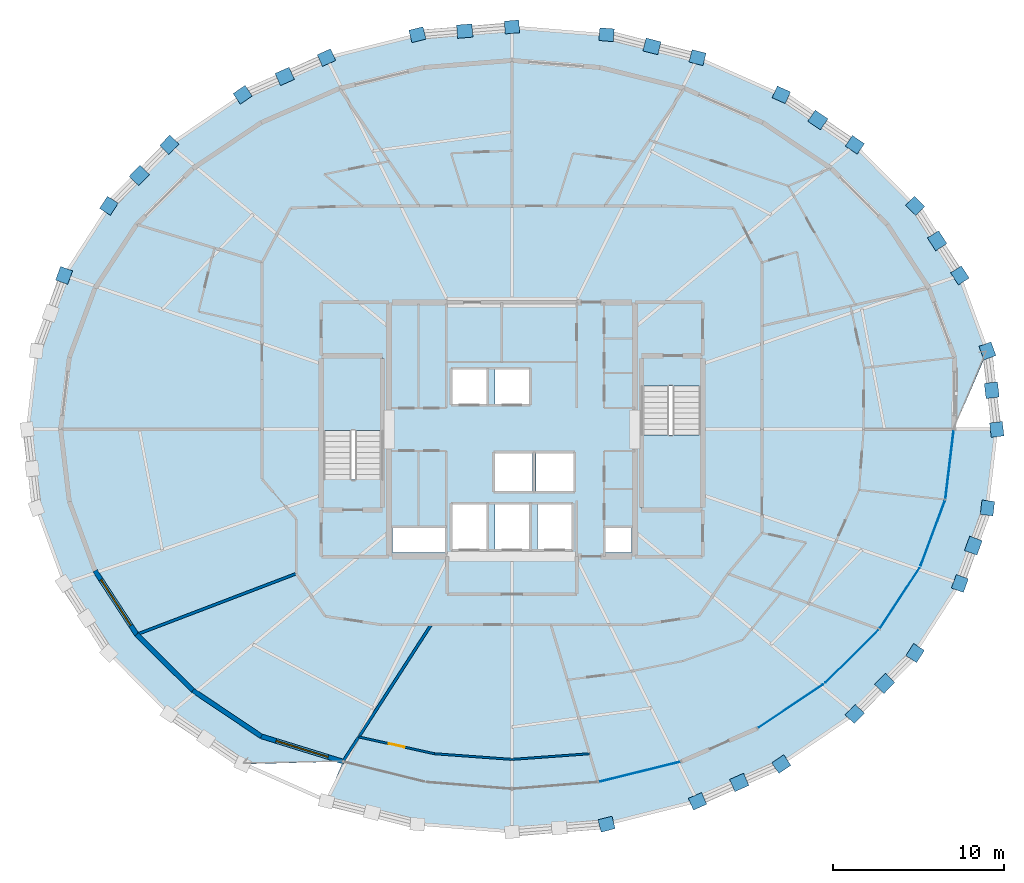
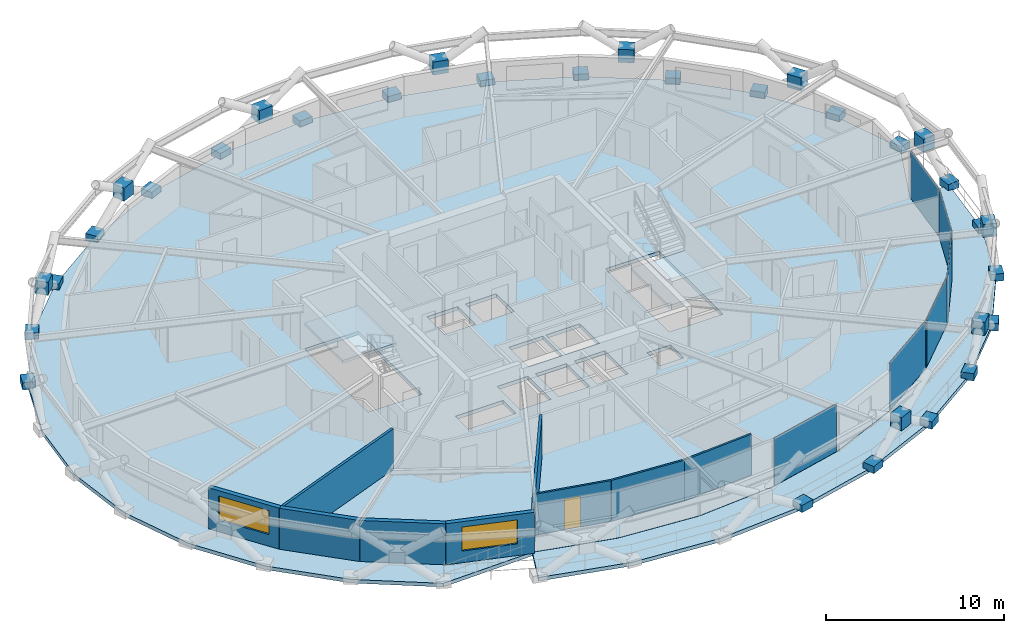
# One storey, part 13 of 21: 38 plates, 9 walls, 4 slabs, 2 windows, 1 door, 3 openings, 4 elements without a shape of their own.
"""IFC4 building model written with IfcOpenShell, lengths in metres."""

import ifcopenshell
import ifcopenshell.guid

model = None  # the IFC model being written
_history = None  # IfcOwnerHistory: only IFC2X3 demands one
_inside = {}  # id of a spatial element -> (the spatial element, [elements in it])
_under = {}  # id of a project, library or spatial element -> (it, [spatial elements below it])
_declared = {}  # id of a project -> (the project, [libraries it declares])
_typed = {}  # id of a type object -> (the type object, [elements of that type])
_made_of = {}  # id of a material, layer set ... -> (it, [elements and type objects made of it])


def new_model(schema):
    """Start an empty IFC model of exactly this schema.

    Asked for "IFC4X3", IfcOpenShell would pick the latest addendum, in which some entities
    have other attributes; the version numbers below select the first issue.
    IFC2X3 requires an IfcOwnerHistory on every rooted entity: one is made here for all.
    """
    global model, _history
    if schema == "IFC4X3":
        model = ifcopenshell.file(schema_version=(4, 3, 0, 0))
    else:
        model = ifcopenshell.file(schema=schema)
    _inside.clear()
    _under.clear()
    _declared.clear()
    _typed.clear()
    _made_of.clear()
    _history = None
    if model.schema == "IFC2X3":
        org = make("IfcOrganization", Name="unknown")
        user = make(
            "IfcPersonAndOrganization",
            ThePerson=make("IfcPerson", FamilyName="unknown"),
            TheOrganization=org,
        )
        app = make(
            "IfcApplication",
            ApplicationDeveloper=org,
            Version="unknown",
            ApplicationFullName="unknown",
            ApplicationIdentifier="unknown",
        )
        _history = make(
            "IfcOwnerHistory",
            OwningUser=user,
            OwningApplication=app,
            ChangeAction="ADDED",
            CreationDate=0,
        )
    return model


def make(cls, **values):
    """One entity of the class cls with the attributes given. An attribute that is None is left unset."""
    return model.create_entity(
        cls, **{name: value for name, value in values.items() if value is not None}
    )


def rooted(cls, **values):
    """An entity with a GlobalId (a new one), such as an element, a storey or a relation."""
    return make(cls, GlobalId=ifcopenshell.guid.new(), OwnerHistory=_history, **values)


def si_unit(unit_type, name, prefix=None):
    """IfcSIUnit, for example si_unit("LENGTHUNIT", "METRE", prefix="MILLI")."""
    return make("IfcSIUnit", UnitType=unit_type, Prefix=prefix, Name=name)


def assignment(units):
    """IfcUnitAssignment: the units of a project."""
    return None if units is None else make("IfcUnitAssignment", Units=units)


def point(xyz):
    """IfcCartesianPoint."""
    return None if xyz is None else make("IfcCartesianPoint", Coordinates=xyz)


def direction(xyz):
    """IfcDirection."""
    return None if xyz is None else make("IfcDirection", DirectionRatios=xyz)


def frame(location, z_axis=None, x_axis=None):
    """IfcAxis2Placement3D, a coordinate frame: its origin and axes. An axis left out is left unset."""
    return make(
        "IfcAxis2Placement3D",
        Location=point(location),
        Axis=direction(z_axis),
        RefDirection=direction(x_axis),
    )


def frame_2d(location, x_axis=None):
    """IfcAxis2Placement2D, a coordinate frame in the plane: its origin and x axis."""
    return make(
        "IfcAxis2Placement2D", Location=point(location), RefDirection=direction(x_axis)
    )


def origin():
    """The frame at (0, 0, 0) with its axes left unset."""
    return frame((0.0, 0.0, 0.0))


def origin_2d():
    """The frame at (0, 0) in the plane with its x axis left unset."""
    return frame_2d((0.0, 0.0))


def place(relative_to, where):
    """IfcLocalPlacement: puts the frame where relative to a parent placement (None: the world)."""
    return make(
        "IfcLocalPlacement", PlacementRelTo=relative_to, RelativePlacement=where
    )


def context(
    kind, dimensions, precision=None, world=None, true_north=None, identifier=None
):
    """IfcGeometricRepresentationContext, for example the 3D "Model" context."""
    return make(
        "IfcGeometricRepresentationContext",
        ContextIdentifier=identifier,
        ContextType=kind,
        CoordinateSpaceDimension=dimensions,
        Precision=precision,
        WorldCoordinateSystem=world,
        TrueNorth=true_north,
    )


def subcontext(parent, identifier, kind, view, scale=None):
    """IfcGeometricRepresentationSubContext, for example "Body" below "Model"."""
    return make(
        "IfcGeometricRepresentationSubContext",
        ContextIdentifier=identifier,
        ContextType=kind,
        ParentContext=parent,
        TargetScale=scale,
        TargetView=view,
    )


def project(units=None, contexts=None):
    """IfcProject with its units and contexts."""
    return rooted(
        "IfcProject",
        Name="project",
        RepresentationContexts=contexts,
        UnitsInContext=assignment(units),
    )


def spatial(cls, under=None, at=None, **own):
    """A site, building, storey or space (cls), placed at a placement, below another one or the project."""
    s = rooted(cls, ObjectPlacement=at, **own)
    if under is not None:
        _under.setdefault(under.id(), (under, []))[1].append(s)
    return s


def polyline(points):
    """IfcPolyline through the points."""
    return make("IfcPolyline", Points=[point(p) for p in points])


def profile(cls, at=None, kind="AREA", **sizes):
    """A parametric profile (cls). Its sizes go by their IFC names, for example OverallWidth=200.0."""
    return make(cls, ProfileType=kind, Position=at, **sizes)


def rectangle(**sizes):
    """IfcRectangleProfileDef."""
    return profile("IfcRectangleProfileDef", **sizes)


def outline(outer, holes=None, kind="AREA"):
    """IfcArbitraryClosedProfileDef: a profile drawn as a closed curve; with holes, ...WithVoids."""
    if holes is None:
        return make("IfcArbitraryClosedProfileDef", ProfileType=kind, OuterCurve=outer)
    return make(
        "IfcArbitraryProfileDefWithVoids",
        ProfileType=kind,
        OuterCurve=outer,
        InnerCurves=holes,
    )


def extrude(swept, where, along, depth):
    """IfcExtrudedAreaSolid: the profile swept, set in the frame where, extruded along a direction by depth."""
    return make(
        "IfcExtrudedAreaSolid",
        SweptArea=swept,
        Position=where,
        ExtrudedDirection=direction(along),
        Depth=depth,
    )


def shape(context_of_items, identifier, shape_type, items):
    """IfcShapeRepresentation: the items that make up one representation, for example the "Body"."""
    return make(
        "IfcShapeRepresentation",
        ContextOfItems=context_of_items,
        RepresentationIdentifier=identifier,
        RepresentationType=shape_type,
        Items=items,
    )


def material(Name=None, Category=None):
    """IfcMaterial."""
    return make("IfcMaterial", Name=Name, Category=Category)


def layer(
    of_material, thickness, ventilated=None, Name=None, Category=None, Priority=None
):
    """IfcMaterialLayer: one layer of a wall or slab, of a material (None: an air gap)."""
    return make(
        "IfcMaterialLayer",
        Material=of_material,
        LayerThickness=thickness,
        IsVentilated=ventilated,
        Name=Name,
        Category=Category,
        Priority=Priority,
    )


def layer_set(layers, Name=None):
    """IfcMaterialLayerSet."""
    return make("IfcMaterialLayerSet", MaterialLayers=layers, LayerSetName=Name)


def made_of(thing, what):
    """Note that an element or type object is made of a material, layer set ...; save() writes the relation."""
    if what is not None:
        _made_of.setdefault(what.id(), (what, []))[1].append(thing)
    return thing


def type_object(cls, material=None, **own):
    """A type object (cls), such as IfcWallType, which elements share."""
    return made_of(rooted(cls, **own), material)


def element(
    cls,
    number,
    at=None,
    inside=None,
    cuts=None,
    type_object=None,
    material=None,
    context=None,
    identifier="Body",
    shape_type=None,
    held_by="IfcProductDefinitionShape",
    body=None,
    shapes=None,
    **own,
):
    """One element of the class cls, such as IfcWall. Its Tag is "e" and its number.

    at: its placement. inside: the storey or other place that contains it. cuts: it is an
    opening in that element (IfcRelVoidsElement). A single representation is given by context,
    identifier, shape_type and body (its items); several are given by shapes. held_by: the class
    of the entity that holds the representations. save() writes the other relations.
    """
    e = rooted(cls, Tag="e%d" % number, ObjectPlacement=at, **own)
    if body is not None:
        shapes = [shape(context, identifier, shape_type, body)]
    if shapes is not None:
        e.Representation = make(held_by, Representations=shapes)
    if inside is not None:
        _inside.setdefault(inside.id(), (inside, []))[1].append(e)
    if cuts is not None:
        rooted(
            "IfcRelVoidsElement", RelatingBuildingElement=cuts, RelatedOpeningElement=e
        )
    if type_object is not None:
        _typed.setdefault(type_object.id(), (type_object, []))[1].append(e)
    return made_of(e, material)


def fill(opening, filler):
    """IfcRelFillsElement: the door or window that sits in an opening."""
    return rooted(
        "IfcRelFillsElement",
        RelatingOpeningElement=opening,
        RelatedBuildingElement=filler,
    )


def aggregate(whole, parts):
    """IfcRelAggregates: a whole, such as a stair, and the parts it consists of."""
    return rooted("IfcRelAggregates", RelatingObject=whole, RelatedObjects=parts)


def save(model, path):
    """Write the relations noted so far, then the file.

    IfcRelAggregates (storeys below a building ...), IfcRelContainedInSpatialStructure (elements
    in a storey), IfcRelDefinesByType, IfcRelAssociatesMaterial and IfcRelDeclares: one each for
    every whole, place, type object, material and project.
    """
    for whole, parts in _under.values():
        aggregate(whole, parts)
    for where, things in _inside.values():
        rooted(
            "IfcRelContainedInSpatialStructure",
            RelatedElements=things,
            RelatingStructure=where,
        )
    for kind, things in _typed.values():
        rooted("IfcRelDefinesByType", RelatedObjects=things, RelatingType=kind)
    for what, things in _made_of.values():
        rooted("IfcRelAssociatesMaterial", RelatedObjects=things, RelatingMaterial=what)
    for by, libraries in _declared.values():
        rooted("IfcRelDeclares", RelatingContext=by, RelatedDefinitions=libraries)
    model.write(path)


model = new_model("IFC4")

# Units and contexts
model_context = context("Model", 3, precision=1e-05, world=origin(), true_north=direction((0.0, 1.0)))
body_context = subcontext(model_context, "Body", "Model", "MODEL_VIEW")
ifc_project = project(units=[si_unit("LENGTHUNIT", "METRE"), si_unit("AREAUNIT", "SQUARE_METRE"), si_unit("VOLUMEUNIT", "CUBIC_METRE"), si_unit("PLANEANGLEUNIT", "RADIAN"), si_unit("MASSUNIT", "GRAM", prefix="KILO")], contexts=[model_context])

# Site, building, storey
site_placement = place(None, origin())
site = spatial("IfcSite", under=ifc_project, at=site_placement, CompositionType="ELEMENT")
building_placement = place(site_placement, origin())
building = spatial("IfcBuilding", under=site, at=building_placement, Name="Veldorina Hangang Commons", CompositionType="ELEMENT")
storey_placement = place(building_placement, frame((0.0, 0.0, 142.39990234375)))
storey = spatial("IfcBuildingStorey", under=building, at=storey_placement, Name="L36", CompositionType="ELEMENT", Elevation=142.39990234375)

# Curtain wall, plate
ifc_material_1 = material(Name="Glass Low-E Triple IGU", Category="glass")
ifc_layer_1 = layer(ifc_material_1, 0.179931640625)
ifc_layer_set_1 = layer_set([ifc_layer_1], Name="Glass Low-E Triple IGU")
curtain_wall_type = type_object("IfcCurtainWallType", Name="CW-SYS-Z2", PredefinedType="NOTDEFINED", material=ifc_layer_set_1)
curtain_wall_1_placement = place(storey_placement, origin())
curtain_wall_1 = element("IfcCurtainWall", 1, at=curtain_wall_1_placement, inside=storey, type_object=curtain_wall_type, Name="L36 unitised curtain wall CW-L36-R1", PredefinedType="NOTDEFINED")
ifc_layer_2 = layer(ifc_material_1, 0.0400390625)
ifc_layer_set_2 = layer_set([ifc_layer_2], Name="Glass Low-E Triple IGU")
plate_type_1 = type_object("IfcPlateType", Name="CW-PNL-VIS", PredefinedType="CURTAIN_PANEL", material=ifc_layer_set_2)
plate_1_placement = place(storey_placement, frame((39.480712890625, 3.93408203125, 0.01513671875), z_axis=(0.0, 0.0, 1.0), x_axis=(0.970863047415, 0.239635020738, 0.0)))
plate_1 = element("IfcPlate", 2, at=plate_1_placement, type_object=plate_type_1, Name="CW-L36-R1 facet 4 glazed vision panel", PredefinedType="CURTAIN_PANEL", context=body_context, shape_type="SweptSolid", body=[
    extrude(rectangle(XDim=4.823486328125, YDim=0.0400390625, at=origin_2d()), origin(), (0.0, 0.0, 1.0), 3.280029296875),
])
aggregate(curtain_wall_1, [plate_1])

# Curtain wall, plates
curtain_wall_2_placement = place(storey_placement, origin())
curtain_wall_2 = element("IfcCurtainWall", 3, at=curtain_wall_2_placement, inside=storey, type_object=curtain_wall_type, Name="L36 unitised curtain wall CW-L36-R2", PredefinedType="NOTDEFINED")
plate_2_placement = place(storey_placement, frame((48.348388671875, 7.791015625, 0.01513671875), z_axis=(0.0, 0.0, 1.0), x_axis=(0.831624724357, 0.555338021243, 0.0)))
plate_2 = element("IfcPlate", 4, at=plate_2_placement, type_object=plate_type_1, Name="CW-L36-R2 facet 1 glazed vision panel", PredefinedType="CURTAIN_PANEL", context=body_context, shape_type="SweptSolid", body=[
    extrude(rectangle(XDim=4.538330078125, YDim=0.0400390625, at=origin_2d()), origin(), (0.0, 0.0, 1.0), 3.280029296875),
])
plate_3_placement = place(storey_placement, frame((51.92041015625, 10.697509765625, 0.01513671875), z_axis=(0.0, 0.0, 1.0), x_axis=(0.710123936045, 0.704076697141, 0.0)))
plate_3 = element("IfcPlate", 5, at=plate_3_placement, type_object=plate_type_1, Name="CW-L36-R2 facet 2 glazed vision panel", PredefinedType="CURTAIN_PANEL", context=body_context, shape_type="SweptSolid", body=[
    extrude(rectangle(XDim=4.35498046875, YDim=0.0400390625, at=origin_2d()), origin(), (0.0, 0.0, 1.0), 3.280029296875),
])
plate_4_placement = place(storey_placement, frame((54.72705078125, 14.115234375, 0.01513671875), z_axis=(0.0, 0.0, 1.0), x_axis=(0.549037405505, 0.835797778985, 0.0)))
plate_4 = element("IfcPlate", 6, at=plate_4_placement, type_object=plate_type_1, Name="CW-L36-R2 facet 3 glazed vision panel", PredefinedType="CURTAIN_PANEL", context=body_context, shape_type="SweptSolid", body=[
    extrude(rectangle(XDim=4.178466796875, YDim=0.0400390625, at=origin_2d()), origin(), (0.0, 0.0, 1.0), 3.280029296875),
])
plate_5_placement = place(storey_placement, frame((56.66015625, 17.9130859375, 0.01513671875), z_axis=(0.0, 0.0, 1.0), x_axis=(0.349308079291, 0.937007932593, 0.0)))
plate_5 = element("IfcPlate", 7, at=plate_5_placement, type_object=plate_type_1, Name="CW-L36-R2 facet 4 glazed vision panel", PredefinedType="CURTAIN_PANEL", context=body_context, shape_type="SweptSolid", body=[
    extrude(rectangle(XDim=4.038330078125, YDim=0.0400390625, at=origin_2d()), origin(), (0.0, 0.0, 1.0), 3.280029296875),
])
plate_6_placement = place(storey_placement, frame((57.645751953125, 21.944580078125, 0.01513671875), z_axis=(0.0, 0.0, 1.0), x_axis=(0.12017149253, 0.992753147758, 0.0)))
plate_6 = element("IfcPlate", 8, at=plate_6_placement, type_object=plate_type_1, Name="CW-L36-R2 facet 5 glazed vision panel", PredefinedType="CURTAIN_PANEL", context=body_context, shape_type="SweptSolid", body=[
    extrude(rectangle(XDim=3.960693359375, YDim=0.0400390625, at=origin_2d()), origin(), (0.0, 0.0, 1.0), 3.280029296875),
])
aggregate(curtain_wall_2, [plate_2, plate_3, plate_4, plate_5, plate_6])

# Plates
ifc_material_2 = material(Name="Steel SM460-TMC", Category="steel")
ifc_layer_3 = layer(ifc_material_2, 0.035888671875)
ifc_layer_set_3 = layer_set([ifc_layer_3], Name="Steel SM460-TMC")
plate_type_2 = type_object("IfcPlateType", Name="PL-STAR-36", PredefinedType="USERDEFINED", material=ifc_layer_set_3)
plate_7_placement = place(storey_placement, frame((60.41455078125, 24.0, -0.08984375), z_axis=(0.0, 0.0, 1.0), x_axis=(-0.1178147099, 0.993035595601, 0.0)))
element("IfcPlate", 9, at=plate_7_placement, inside=storey, type_object=plate_type_2, Name="L36 diagrid star-node gusset plate 00", ObjectType="GUSSET PLATE", PredefinedType="USERDEFINED", context=body_context, shape_type="SweptSolid", body=[
    extrude(rectangle(XDim=0.85009765625, YDim=0.75, at=origin_2d()), origin(), (0.0, 0.0, 1.0), 0.5),
])
plate_8_placement = place(storey_placement, frame((60.119873046875, 26.299560546875, 1.351318359375), z_axis=(0.0, 0.0, 1.0), x_axis=(-0.1178147099, 0.993035595601, 0.0)))
element("IfcPlate", 10, at=plate_8_placement, inside=storey, type_object=plate_type_2, Name="L36 diagrid X-crossing star-node gusset plate 00", ObjectType="GUSSET PLATE", PredefinedType="USERDEFINED", context=body_context, shape_type="SweptSolid", body=[
    extrude(rectangle(XDim=0.89990234375, YDim=0.780029296875, at=origin_2d()), origin(), (0.0, 0.0, 1.0), 0.89990234375),
])
for number, where, z_axis, x_axis, name in (
    (11, (59.86865234375, 28.602294921875, -0.08984375), (0.0, 0.0, 1.0), (-0.343184332272, 0.939268073599, 0.0), "L36 diagrid star-node gusset plate 01"),
    (12, (58.251708984375, 33.027587890625, -0.08984375), (0.0, 0.0, 1.0), (-0.541326717496, 0.84081233633, 0.0), "L36 diagrid star-node gusset plate 02"),
):
    element("IfcPlate", number, at=place(storey_placement, frame(where, z_axis=z_axis, x_axis=x_axis)), inside=storey, type_object=plate_type_2, Name=name, ObjectType="GUSSET PLATE", PredefinedType="USERDEFINED", context=body_context, shape_type="SweptSolid", body=[
        extrude(rectangle(XDim=0.85009765625, YDim=0.75, at=origin_2d()), origin(), (0.0, 0.0, 1.0), 0.5),
    ])
plate_9_placement = place(storey_placement, frame((56.91943359375, 35.0595703125, 1.3515625), z_axis=(0.0, 0.0, 1.0), x_axis=(-0.541326717496, 0.84081233633, 0.0)))
element("IfcPlate", 13, at=plate_9_placement, inside=storey, type_object=plate_type_2, Name="L36 diagrid X-crossing star-node gusset plate 02", ObjectType="GUSSET PLATE", PredefinedType="USERDEFINED", context=body_context, shape_type="SweptSolid", body=[
    extrude(rectangle(XDim=0.89990234375, YDim=0.780029296875, at=origin_2d()), origin(), (0.0, 0.0, 1.0), 0.89990234375),
])
for number, where, z_axis, x_axis, name in (
    (14, (55.6259765625, 37.106201171875, -0.08984375), (0.0, 0.0, 1.0), (-0.703010020349, 0.711179942974, 0.0), "L36 diagrid star-node gusset plate 03"),
    (15, (52.09228515625, 40.680908203125, -0.08984375), (0.0, 0.0, 1.0), (-0.826422725162, 0.563050157034, 0.0), "L36 diagrid star-node gusset plate 04"),
):
    element("IfcPlate", number, at=place(storey_placement, frame(where, z_axis=z_axis, x_axis=x_axis)), inside=storey, type_object=plate_type_2, Name=name, ObjectType="GUSSET PLATE", PredefinedType="USERDEFINED", context=body_context, shape_type="SweptSolid", body=[
        extrude(rectangle(XDim=0.85009765625, YDim=0.75, at=origin_2d()), origin(), (0.0, 0.0, 1.0), 0.5),
    ])
plate_10_placement = place(storey_placement, frame((49.92529296875, 42.135986328125, 1.3515625), z_axis=(0.0, 0.0, 1.0), x_axis=(-0.826422725162, 0.563050157034, 0.0)))
element("IfcPlate", 16, at=plate_10_placement, inside=storey, type_object=plate_type_2, Name="L36 diagrid X-crossing star-node gusset plate 04", ObjectType="GUSSET PLATE", PredefinedType="USERDEFINED", context=body_context, shape_type="SweptSolid", body=[
    extrude(rectangle(XDim=0.89990234375, YDim=0.780029296875, at=origin_2d()), origin(), (0.0, 0.0, 1.0), 0.89990234375),
])
for number, where, z_axis, x_axis, name in (
    (17, (47.786376953125, 43.614501953125, -0.08984375), (0.0, 0.0, 1.0), (-0.914041698281, 0.405620233474, 0.0), "L36 diagrid star-node gusset plate 05"),
    (18, (42.873779296875, 45.794677734375, -0.08984375), (0.0, 0.0, 1.0), (-0.969723018395, 0.244207427396, 0.0), "L36 diagrid star-node gusset plate 06"),
):
    element("IfcPlate", number, at=place(storey_placement, frame(where, z_axis=z_axis, x_axis=x_axis)), inside=storey, type_object=plate_type_2, Name=name, ObjectType="GUSSET PLATE", PredefinedType="USERDEFINED", context=body_context, shape_type="SweptSolid", body=[
        extrude(rectangle(XDim=0.85009765625, YDim=0.75, at=origin_2d()), origin(), (0.0, 0.0, 1.0), 0.5),
    ])
plate_11_placement = place(storey_placement, frame((40.2021484375, 46.451171875, 1.3515625), z_axis=(0.0, 0.0, 1.0), x_axis=(-0.969723018395, 0.244207427396, 0.0)))
element("IfcPlate", 19, at=plate_11_placement, inside=storey, type_object=plate_type_2, Name="L36 diagrid X-crossing star-node gusset plate 06", ObjectType="GUSSET PLATE", PredefinedType="USERDEFINED", context=body_context, shape_type="SweptSolid", body=[
    extrude(rectangle(XDim=0.89990234375, YDim=0.780029296875, at=origin_2d()), origin(), (0.0, 0.0, 1.0), 0.89990234375),
])
for number, where, z_axis, x_axis, name in (
    (20, (37.54345703125, 47.136962890625, -0.08984375), (0.0, 0.0, 1.0), (-0.996673044363, 0.081503635748, 0.0), "L36 diagrid star-node gusset plate 07"),
    (21, (32.0, 47.59033203125, -0.08984375), (0.0, 0.0, 1.0), (-0.996673044363, -0.081503635748, 0.0), "L36 diagrid star-node gusset plate 08"),
):
    element("IfcPlate", number, at=place(storey_placement, frame(where, z_axis=z_axis, x_axis=x_axis)), inside=storey, type_object=plate_type_2, Name=name, ObjectType="GUSSET PLATE", PredefinedType="USERDEFINED", context=body_context, shape_type="SweptSolid", body=[
        extrude(rectangle(XDim=0.85009765625, YDim=0.75, at=origin_2d()), origin(), (0.0, 0.0, 1.0), 0.5),
    ])
plate_12_placement = place(storey_placement, frame((29.23046875, 47.348388671875, 1.3515625), z_axis=(0.0, 0.0, 1.0), x_axis=(-0.996673044363, -0.081503635748, 0.0)))
element("IfcPlate", 22, at=plate_12_placement, inside=storey, type_object=plate_type_2, Name="L36 diagrid X-crossing star-node gusset plate 08", ObjectType="GUSSET PLATE", PredefinedType="USERDEFINED", context=body_context, shape_type="SweptSolid", body=[
    extrude(rectangle(XDim=0.89990234375, YDim=0.780029296875, at=origin_2d()), origin(), (0.0, 0.0, 1.0), 0.89990234375),
])
for number, where, z_axis, x_axis, name in (
    (23, (26.45654296875, 47.136962890625, -0.08984375), (0.0, 0.0, 1.0), (-0.969723018395, -0.244207427396, 0.0), "L36 diagrid star-node gusset plate 09"),
    (24, (21.126220703125, 45.794677734375, -0.08984375), (0.0, 0.0, 1.0), (-0.914041698281, -0.405620233474, 0.0), "L36 diagrid star-node gusset plate 10"),
):
    element("IfcPlate", number, at=place(storey_placement, frame(where, z_axis=z_axis, x_axis=x_axis)), inside=storey, type_object=plate_type_2, Name=name, ObjectType="GUSSET PLATE", PredefinedType="USERDEFINED", context=body_context, shape_type="SweptSolid", body=[
        extrude(rectangle(XDim=0.85009765625, YDim=0.75, at=origin_2d()), origin(), (0.0, 0.0, 1.0), 0.5),
    ])
plate_13_placement = place(storey_placement, frame((18.680419921875, 44.69091796875, 1.3515625), z_axis=(0.0, 0.0, 1.0), x_axis=(-0.914041698281, -0.405620233474, 0.0)))
element("IfcPlate", 25, at=plate_13_placement, inside=storey, type_object=plate_type_2, Name="L36 diagrid X-crossing star-node gusset plate 10", ObjectType="GUSSET PLATE", PredefinedType="USERDEFINED", context=body_context, shape_type="SweptSolid", body=[
    extrude(rectangle(XDim=0.89990234375, YDim=0.780029296875, at=origin_2d()), origin(), (0.0, 0.0, 1.0), 0.89990234375),
])
for number, where, z_axis, x_axis, name in (
    (26, (16.213623046875, 43.614501953125, -0.08984375), (0.0, 0.0, 1.0), (-0.826422725162, -0.563050157034, 0.0), "L36 diagrid star-node gusset plate 11"),
    (27, (11.90771484375, 40.680908203125, -0.08984375), (0.0, 0.0, 1.0), (-0.703010020349, -0.711179942974, 0.0), "L36 diagrid star-node gusset plate 12"),
):
    element("IfcPlate", number, at=place(storey_placement, frame(where, z_axis=z_axis, x_axis=x_axis)), inside=storey, type_object=plate_type_2, Name=name, ObjectType="GUSSET PLATE", PredefinedType="USERDEFINED", context=body_context, shape_type="SweptSolid", body=[
        extrude(rectangle(XDim=0.85009765625, YDim=0.75, at=origin_2d()), origin(), (0.0, 0.0, 1.0), 0.5),
    ])
plate_14_placement = place(storey_placement, frame((10.157958984375, 38.883544921875, 1.3515625), z_axis=(0.0, 0.0, 1.0), x_axis=(-0.703010020349, -0.711179942974, 0.0)))
element("IfcPlate", 28, at=plate_14_placement, inside=storey, type_object=plate_type_2, Name="L36 diagrid X-crossing star-node gusset plate 12", ObjectType="GUSSET PLATE", PredefinedType="USERDEFINED", context=body_context, shape_type="SweptSolid", body=[
    extrude(rectangle(XDim=0.89990234375, YDim=0.780029296875, at=origin_2d()), origin(), (0.0, 0.0, 1.0), 0.89990234375),
])
for number, where, z_axis, x_axis, name in (
    (29, (8.3740234375, 37.106201171875, -0.08984375), (0.0, 0.0, 1.0), (-0.541326717496, -0.84081233633, 0.0), "L36 diagrid star-node gusset plate 13"),
    (30, (5.748291015625, 33.027587890625, -0.08984375), (0.0, 0.0, 1.0), (-0.343184332272, -0.939268073599, 0.0), "L36 diagrid star-node gusset plate 14"),
    (31, (37.54345703125, 0.863037109375, -0.08984375), (0.0, 0.0, 1.0), (0.969723018395, 0.244207427396, 0.0), "L36 diagrid star-node gusset plate 25"),
    (32, (42.873779296875, 2.205322265625, -0.08984375), (0.0, 0.0, 1.0), (0.914041698281, 0.405620233474, 0.0), "L36 diagrid star-node gusset plate 26"),
):
    element("IfcPlate", number, at=place(storey_placement, frame(where, z_axis=z_axis, x_axis=x_axis)), inside=storey, type_object=plate_type_2, Name=name, ObjectType="GUSSET PLATE", PredefinedType="USERDEFINED", context=body_context, shape_type="SweptSolid", body=[
        extrude(rectangle(XDim=0.85009765625, YDim=0.75, at=origin_2d()), origin(), (0.0, 0.0, 1.0), 0.5),
    ])
plate_15_placement = place(storey_placement, frame((45.319580078125, 3.30908203125, 1.3515625), z_axis=(0.0, 0.0, 1.0), x_axis=(0.914041698281, 0.405620233474, 0.0)))
element("IfcPlate", 33, at=plate_15_placement, inside=storey, type_object=plate_type_2, Name="L36 diagrid X-crossing star-node gusset plate 26", ObjectType="GUSSET PLATE", PredefinedType="USERDEFINED", context=body_context, shape_type="SweptSolid", body=[
    extrude(rectangle(XDim=0.89990234375, YDim=0.780029296875, at=origin_2d()), origin(), (0.0, 0.0, 1.0), 0.89990234375),
])
for number, where, z_axis, x_axis, name in (
    (34, (47.786376953125, 4.385498046875, -0.08984375), (0.0, 0.0, 1.0), (0.826422725162, 0.563050157034, 0.0), "L36 diagrid star-node gusset plate 27"),
    (35, (52.09228515625, 7.319091796875, -0.08984375), (0.0, 0.0, 1.0), (0.703010020349, 0.711179942974, 0.0), "L36 diagrid star-node gusset plate 28"),
):
    element("IfcPlate", number, at=place(storey_placement, frame(where, z_axis=z_axis, x_axis=x_axis)), inside=storey, type_object=plate_type_2, Name=name, ObjectType="GUSSET PLATE", PredefinedType="USERDEFINED", context=body_context, shape_type="SweptSolid", body=[
        extrude(rectangle(XDim=0.85009765625, YDim=0.75, at=origin_2d()), origin(), (0.0, 0.0, 1.0), 0.5),
    ])
plate_16_placement = place(storey_placement, frame((53.842041015625, 9.116455078125, 1.3515625), z_axis=(0.0, 0.0, 1.0), x_axis=(0.703010020349, 0.711179942974, 0.0)))
element("IfcPlate", 36, at=plate_16_placement, inside=storey, type_object=plate_type_2, Name="L36 diagrid X-crossing star-node gusset plate 28", ObjectType="GUSSET PLATE", PredefinedType="USERDEFINED", context=body_context, shape_type="SweptSolid", body=[
    extrude(rectangle(XDim=0.89990234375, YDim=0.780029296875, at=origin_2d()), origin(), (0.0, 0.0, 1.0), 0.89990234375),
])
for number, where, z_axis, x_axis, name in (
    (37, (55.6259765625, 10.893798828125, -0.08984375), (0.0, 0.0, 1.0), (0.541326717496, 0.84081233633, 0.0), "L36 diagrid star-node gusset plate 29"),
    (38, (58.251708984375, 14.972412109375, -0.08984375), (0.0, 0.0, 1.0), (0.343184332272, 0.939268073599, 0.0), "L36 diagrid star-node gusset plate 30"),
):
    element("IfcPlate", number, at=place(storey_placement, frame(where, z_axis=z_axis, x_axis=x_axis)), inside=storey, type_object=plate_type_2, Name=name, ObjectType="GUSSET PLATE", PredefinedType="USERDEFINED", context=body_context, shape_type="SweptSolid", body=[
        extrude(rectangle(XDim=0.85009765625, YDim=0.75, at=origin_2d()), origin(), (0.0, 0.0, 1.0), 0.5),
    ])
plate_17_placement = place(storey_placement, frame((59.0390625, 17.189697265625, 1.351318359375), z_axis=(0.0, 0.0, 1.0), x_axis=(0.343184332272, 0.939268073599, 0.0)))
element("IfcPlate", 39, at=plate_17_placement, inside=storey, type_object=plate_type_2, Name="L36 diagrid X-crossing star-node gusset plate 30", ObjectType="GUSSET PLATE", PredefinedType="USERDEFINED", context=body_context, shape_type="SweptSolid", body=[
    extrude(rectangle(XDim=0.89990234375, YDim=0.780029296875, at=origin_2d()), origin(), (0.0, 0.0, 1.0), 0.89990234375),
])
plate_18_placement = place(storey_placement, frame((59.86865234375, 19.397705078125, -0.08984375), z_axis=(0.0, 0.0, 1.0), x_axis=(0.1178147099, 0.993035595601, 0.0)))
element("IfcPlate", 40, at=plate_18_placement, inside=storey, type_object=plate_type_2, Name="L36 diagrid star-node gusset plate 31", ObjectType="GUSSET PLATE", PredefinedType="USERDEFINED", context=body_context, shape_type="SweptSolid", body=[
    extrude(rectangle(XDim=0.85009765625, YDim=0.75, at=origin_2d()), origin(), (0.0, 0.0, 1.0), 0.5),
])

# Slabs
ifc_material_3 = material(Name="Concrete C40/50", Category="concrete")
ifc_layer_4 = layer(ifc_material_3, 0.25)
ifc_layer_set_4 = layer_set([ifc_layer_4], Name="Concrete C40/50")
slab_type_1 = type_object("IfcSlabType", Name="SL-FLR-250", PredefinedType="FLOOR", material=ifc_layer_set_4)
slab_1_placement = place(storey_placement, frame((0.0, 0.0, -0.25)))
element("IfcSlab", 41, at=slab_1_placement, inside=storey, type_object=slab_type_1, Name="L36 tower structural floor slab", PredefinedType="FLOOR", context=body_context, shape_type="SweptSolid", body=[
    extrude(outline(polyline([(57.89453125, 24.0), (59.86865234375, 28.602294921875), (58.251708984375, 33.027587890625), (55.6259765625, 37.106201171875), (52.09228515625, 40.680908203125), (47.786376953125, 43.614501953125), (42.873779296875, 45.794677734375), (37.54345703125, 47.136962890625), (32.0, 47.59033203125), (26.45654296875, 47.136962890625), (21.126220703125, 45.794677734375), (16.213623046875, 43.614501953125), (11.90771484375, 40.680908203125), (8.3740234375, 37.106201171875), (5.748291015625, 33.027587890625), (4.13134765625, 28.602294921875), (3.58544921875, 24.0), (4.13134765625, 19.397705078125), (5.748291015625, 14.972412109375), (8.3740234375, 10.893798828125), (11.90771484375, 7.319091796875), (16.213623046875, 4.385498046875), (22.090576171875, 4.53369140625), (26.9482421875, 3.334716796875), (32.0, 2.9296875), (37.0517578125, 3.334716796875), (41.909423828125, 4.53369140625), (46.38623046875, 6.480712890625), (50.310302734375, 9.10107421875), (53.530517578125, 12.2939453125), (55.923583984375, 15.936767578125), (57.39697265625, 19.889404296875), (57.89453125, 24.0)]), holes=[polyline([(20.949951171875, 21.05810546875), (20.949951171875, 28.199951171875), (24.449951171875, 28.199951171875), (24.449951171875, 21.05810546875), (20.949951171875, 21.05810546875)]), polyline([(43.050048828125, 26.5419921875), (43.050048828125, 19.39990234375), (39.550048828125, 19.39990234375), (39.550048828125, 26.5419921875), (43.050048828125, 26.5419921875)]), polyline([(28.5, 27.5), (30.5, 27.5), (30.5, 25.5), (28.5, 25.5), (28.5, 27.5)]), polyline([(31.0, 27.5), (33.0, 27.5), (33.0, 25.5), (31.0, 25.5), (31.0, 27.5)]), polyline([(31.0, 22.60009765625), (33.199951171875, 22.60009765625), (33.199951171875, 20.39990234375), (31.0, 20.39990234375), (31.0, 22.60009765625)]), polyline([(33.39990234375, 22.60009765625), (35.60009765625, 22.60009765625), (35.60009765625, 20.39990234375), (33.39990234375, 20.39990234375), (33.39990234375, 22.60009765625)]), polyline([(28.5, 19.60009765625), (30.5, 19.60009765625), (30.5, 17.0), (28.5, 17.0), (28.5, 19.60009765625)]), polyline([(31.0, 19.60009765625), (33.0, 19.60009765625), (33.0, 17.0), (31.0, 17.0), (31.0, 19.60009765625)]), polyline([(33.5, 19.60009765625), (35.5, 19.60009765625), (35.5, 17.0), (33.5, 17.0), (33.5, 19.60009765625)]), polyline([(25.0, 18.25), (28.10009765625, 18.25), (28.10009765625, 16.800048828125), (25.0, 16.800048828125), (25.0, 18.25)]), polyline([(37.449951171875, 18.25), (39.0, 18.25), (39.0, 16.800048828125), (37.449951171875, 16.800048828125), (37.449951171875, 18.25)])]), origin(), (0.0, 0.0, 1.0), 0.25),
])
slab_2_placement = place(storey_placement, frame((0.0, 0.0, -0.25)))
element("IfcSlab", 42, at=slab_2_placement, inside=storey, type_object=slab_type_1, Name="L36 sky-garden loggia outdoor slab", PredefinedType="FLOOR", context=body_context, shape_type="SweptSolid", body=[
    extrude(outline(polyline([(60.41455078125, 24.0), (59.86865234375, 19.397705078125), (58.251708984375, 14.972412109375), (55.6259765625, 10.893798828125), (52.09228515625, 7.319091796875), (47.786376953125, 4.385498046875), (42.873779296875, 2.205322265625), (37.54345703125, 0.863037109375), (32.0, 0.40966796875), (26.45654296875, 0.863037109375), (21.126220703125, 2.205322265625), (22.084228515625, 4.518310546875), (22.089111328125, 4.5185546875), (26.944580078125, 3.320068359375), (26.94580078125, 3.31982421875), (26.947021484375, 3.319580078125), (31.998779296875, 2.914794921875), (32.0, 2.914794921875), (32.001220703125, 2.914794921875), (37.052978515625, 3.319580078125), (37.05419921875, 3.31982421875), (37.055419921875, 3.320068359375), (41.9130859375, 4.51904296875), (41.914306640625, 4.519287109375), (41.915283203125, 4.519775390625), (46.392333984375, 6.466796875), (46.3935546875, 6.467529296875), (46.39453125, 6.46826171875), (50.318603515625, 9.08837890625), (50.319580078125, 9.08935546875), (50.32080078125, 9.09033203125), (53.541259765625, 12.283203125), (53.542236328125, 12.284423828125), (53.543212890625, 12.285888671875), (55.93603515625, 15.928466796875), (55.93701171875, 15.929931640625), (55.9375, 15.931396484375), (57.4111328125, 19.88427734375), (57.41162109375, 19.885986328125), (57.411865234375, 19.8876953125), (57.9091796875, 23.99609375), (57.910888671875, 24.0), (60.41455078125, 24.0)])), origin(), (0.0, 0.0, 1.0), 0.25),
])

# Stair, slab
stair_type = type_object("IfcStairType", Name="STR-DOG-1650-20R", PredefinedType="HALF_TURN_STAIR", material=ifc_material_3)
stair_1_placement = place(storey_placement, origin())
stair_1 = element("IfcStair", 43, at=stair_1_placement, inside=storey, type_object=stair_type, Name="L36 Exit stair ST-1", PredefinedType="HALF_TURN_STAIR")
ifc_layer_5 = layer(ifc_material_3, 0.199951171875)
ifc_layer_set_5 = layer_set([ifc_layer_5], Name="Concrete C40/50")
slab_type_2 = type_object("IfcSlabType", Name="SL-LND-200", PredefinedType="LANDING", material=ifc_layer_set_5)
slab_3_placement = place(storey_placement, frame((0.0, 0.0, 1.60009765625)))
slab_3 = element("IfcSlab", 44, at=slab_3_placement, type_object=slab_type_2, Name="ST-1 landing 1", PredefinedType="LANDING", context=body_context, shape_type="SweptSolid", body=[
    extrude(outline(polyline([(24.449951171875, 23.929931640625), (24.449951171875, 28.199951171875), (20.949951171875, 28.199951171875), (20.949951171875, 23.929931640625), (24.449951171875, 23.929931640625)])), origin(), (0.0, 0.0, 1.0), 0.199951171875),
])
aggregate(stair_1, [slab_3])

stair_2_placement = place(storey_placement, origin())
stair_2 = element("IfcStair", 45, at=stair_2_placement, inside=storey, type_object=stair_type, Name="L36 Exit stair ST-2", PredefinedType="HALF_TURN_STAIR")
slab_4_placement = place(storey_placement, frame((0.0, 0.0, 1.60009765625)))
slab_4 = element("IfcSlab", 46, at=slab_4_placement, type_object=slab_type_2, Name="ST-2 landing 1", PredefinedType="LANDING", context=body_context, shape_type="SweptSolid", body=[
    extrude(outline(polyline([(39.550048828125, 23.669921875), (39.550048828125, 19.39990234375), (43.050048828125, 19.39990234375), (43.050048828125, 23.669921875), (39.550048828125, 23.669921875)])), origin(), (0.0, 0.0, 1.0), 0.199951171875),
])
aggregate(stair_2, [slab_4])

# Wall, opening, window
ifc_material_4 = material(Name="Stone Roman Travertine", Category="masonry")
ifc_layer_6 = layer(ifc_material_4, 0.280029296875)
ifc_layer_set_6 = layer_set([ifc_layer_6], Name="Stone Roman Travertine")
wall_type_1 = type_object("IfcWallType", Name="EW-TRAV-280", PredefinedType="STANDARD", material=ifc_layer_set_6)
wall_1_placement = place(storey_placement, frame((7.55908203125, 15.722412109375, 0.0), z_axis=(0.0, 0.0, 1.0), x_axis=(0.547212555107, -0.836993679506, 0.0)))
wall_1 = element("IfcWall", 47, at=wall_1_placement, inside=storey, type_object=wall_type_1, Name="L36 travertine facade wall 18", PredefinedType="STANDARD", context=body_context, shape_type="SweptSolid", body=[
    extrude(rectangle(XDim=4.4677734375, YDim=0.280029296875, at=frame_2d((2.23388671875, 0.0))), origin(), (0.0, 0.0, 1.0), 2.820068359375),
])
opening_1_placement = place(wall_1_placement, frame((0.6337890625, 0.0, 0.800048828125)))
opening_1 = element("IfcOpeningElement", 48, at=opening_1_placement, cuts=wall_1, Name="Opening W-01", PredefinedType="OPENING", context=body_context, shape_type="SweptSolid", body=[
    extrude(rectangle(XDim=3.199951171875, YDim=1.64990234375, at=frame_2d((1.60009765625, 0.824951171875))), frame((0.0, 0.14990234375, 0.0), z_axis=(0.0, -1.0, 0.0), x_axis=(1.0, 0.0, 0.0)), (0.0, 0.0, 1.0), 0.300048828125),
])
window_type = type_object("IfcWindowType", Name="WIN-TWR-3200", PartitioningType="SINGLE_PANEL", PredefinedType="WINDOW", material=ifc_material_1)
window_1_placement = place(opening_1_placement, origin())
window_1 = element("IfcWindow", 49, at=window_1_placement, inside=storey, type_object=window_type, Name="L36 facade window 18", OverallHeight=1.64990234375, OverallWidth=3.199951171875, PartitioningType="SINGLE_PANEL", PredefinedType="WINDOW", context=body_context, shape_type="SweptSolid", body=[
    extrude(rectangle(XDim=3.199951171875, YDim=1.64990234375, at=frame_2d((1.60009765625, 0.824951171875))), frame((0.0, 0.030029296875, 0.0), z_axis=(0.0, -1.0, 0.0), x_axis=(1.0, 0.0, 0.0)), (0.0, 0.0, 1.0), 0.06005859375),
])
fill(opening_1, window_1)

# Walls
wall_2_placement = place(storey_placement, frame((10.00390625, 11.98291015625, 0.0), z_axis=(0.0, 0.0, 1.0), x_axis=(0.708393596514, -0.705817619799, 0.0)))
element("IfcWall", 50, at=wall_2_placement, inside=storey, type_object=wall_type_1, Name="L36 travertine facade wall 19", PredefinedType="STANDARD", context=body_context, shape_type="SweptSolid", body=[
    extrude(rectangle(XDim=4.64404296875, YDim=0.280029296875, at=frame_2d((2.322021484375, 0.0))), origin(), (0.0, 0.0, 1.0), 2.820068359375),
])
wall_3_placement = place(storey_placement, frame((13.293701171875, 8.705078125, 0.0), z_axis=(0.0, 0.0, 1.0), x_axis=(0.830381581739, -0.55719514419, 0.0)))
element("IfcWall", 51, at=wall_3_placement, inside=storey, type_object=wall_type_1, Name="L36 travertine facade wall 20", PredefinedType="STANDARD", context=body_context, shape_type="SweptSolid", body=[
    extrude(rectangle(XDim=4.82763671875, YDim=0.280029296875, at=frame_2d((2.413818359375, 0.0))), origin(), (0.0, 0.0, 1.0), 2.820068359375),
])

# Wall, opening, window
wall_4_placement = place(storey_placement, frame((17.302490234375, 6.01513671875, 0.0), z_axis=(0.0, 0.0, 1.0), x_axis=(0.955310335689, -0.295604740364, 0.0)))
wall_4 = element("IfcWall", 52, at=wall_4_placement, inside=storey, type_object=wall_type_1, Name="L36 travertine facade wall 21", PredefinedType="STANDARD", context=body_context, shape_type="SweptSolid", body=[
    extrude(rectangle(XDim=5.10400390625, YDim=0.280029296875, at=frame_2d((2.552001953125, 0.0))), origin(), (0.0, 0.0, 1.0), 2.820068359375),
])
opening_2_placement = place(wall_4_placement, frame((0.906005859375, 0.0, 0.800048828125)))
opening_2 = element("IfcOpeningElement", 53, at=opening_2_placement, cuts=wall_4, Name="Opening W-01", PredefinedType="OPENING", context=body_context, shape_type="SweptSolid", body=[
    extrude(rectangle(XDim=3.199951171875, YDim=1.64990234375, at=frame_2d((1.60009765625, 0.824951171875))), frame((0.0, 0.14990234375, 0.0), z_axis=(0.0, -1.0, 0.0), x_axis=(1.0, 0.0, 0.0)), (0.0, 0.0, 1.0), 0.300048828125),
])
window_2_placement = place(opening_2_placement, origin())
window_2 = element("IfcWindow", 54, at=window_2_placement, inside=storey, type_object=window_type, Name="L36 facade window 21", OverallHeight=1.64990234375, OverallWidth=3.199951171875, PartitioningType="SINGLE_PANEL", PredefinedType="WINDOW", context=body_context, shape_type="SweptSolid", body=[
    extrude(rectangle(XDim=3.199951171875, YDim=1.64990234375, at=frame_2d((1.60009765625, 0.824951171875))), frame((0.0, 0.030029296875, 0.0), z_axis=(0.0, -1.0, 0.0), x_axis=(1.0, 0.0, 0.0)), (0.0, 0.0, 1.0), 0.06005859375),
])
fill(opening_2, window_2)

# Walls
ifc_material_5 = material(Name="Gypsum Fire-Rated Twin Stud Wall", Category="gypsum")
ifc_layer_7 = layer(ifc_material_5, 0.159912109375)
ifc_layer_set_7 = layer_set([ifc_layer_7], Name="Gypsum Fire-Rated Twin Stud Wall")
wall_type_2 = type_object("IfcWallType", Name="WL-FIRE-160", PredefinedType="SOLIDWALL", material=ifc_layer_set_7)
wall_5_placement = place(storey_placement, frame((19.35009765625, 15.547607421875, 0.0), z_axis=(0.0, 0.0, 1.0), x_axis=(-0.934339604952, -0.356383925871, 0.0)))
element("IfcWall", 55, at=wall_5_placement, inside=storey, type_object=wall_type_2, Name="L36 Unit party wall 19 116", PredefinedType="SOLIDWALL", context=body_context, shape_type="SweptSolid", body=[
    extrude(rectangle(XDim=9.953125, YDim=0.159912109375, at=frame_2d((4.9765625, 0.0))), origin(), (0.0, 0.0, 1.0), 2.800048828125),
])
wall_6_placement = place(storey_placement, frame((27.25732421875, 12.550048828125, 0.0), z_axis=(0.0, 0.0, 1.0), x_axis=(-0.541746991037, -0.840541609739, 0.0)))
element("IfcWall", 56, at=wall_6_placement, inside=storey, type_object=wall_type_2, Name="L36 Unit party wall 22 117", PredefinedType="SOLIDWALL", context=body_context, shape_type="SweptSolid", body=[
    extrude(rectangle(XDim=9.487060546875, YDim=0.159912109375, at=frame_2d((4.74365234375, 0.0))), origin(), (0.0, 0.0, 1.0), 2.800048828125),
])

# Wall, opening, door
ifc_material_6 = material(Name="Gypsum Acoustic Stud Partition", Category="gypsum")
ifc_layer_8 = layer(ifc_material_6, 0.1201171875)
ifc_layer_set_8 = layer_set([ifc_layer_8], Name="Gypsum Acoustic Stud Partition")
wall_type_3 = type_object("IfcWallType", Name="WL-PART-120", PredefinedType="PARTITIONING", material=ifc_layer_set_8)
wall_7_placement = place(storey_placement, frame((23.0205078125, 5.9765625, 0.0), z_axis=(0.0, 0.0, 1.0), x_axis=(0.976216186395, -0.216799348294, 0.0)))
wall_7 = element("IfcWall", 57, at=wall_7_placement, inside=storey, type_object=wall_type_3, Name="L36 Laundry split 0 118", PredefinedType="PARTITIONING", context=body_context, shape_type="SweptSolid", body=[
    extrude(rectangle(XDim=4.534912109375, YDim=0.1201171875, at=frame_2d((2.267578125, 0.0))), origin(), (0.0, 0.0, 1.0), 2.800048828125),
])
opening_3_placement = place(wall_7_placement, frame((1.79248046875, 0.0, 0.0)))
opening_3 = element("IfcOpeningElement", 58, at=opening_3_placement, cuts=wall_7, Name="Opening D-02", PredefinedType="OPENING", context=body_context, shape_type="SweptSolid", body=[
    extrude(rectangle(XDim=0.949951171875, YDim=2.10009765625, at=frame_2d((0.47509765625, 1.050048828125))), frame((0.0, 0.070068359375, 0.0), z_axis=(0.0, -1.0, 0.0), x_axis=(1.0, 0.0, 0.0)), (0.0, 0.0, 1.0), 0.14013671875),
])
ifc_material_7 = material(Name="Timber Solid Core Acoustic", Category="wood")
door_type = type_object("IfcDoorType", Name="DR-INT-950", OperationType="SINGLE_SWING_LEFT", PredefinedType="DOOR", material=ifc_material_7)
door_placement = place(opening_3_placement, origin())
door = element("IfcDoor", 59, at=door_placement, inside=storey, type_object=door_type, Name="L36 Resident laundry inner door 045", OperationType="SINGLE_SWING_LEFT", OverallHeight=2.10009765625, OverallWidth=0.949951171875, PredefinedType="DOOR", context=body_context, shape_type="SweptSolid", body=[
    extrude(rectangle(XDim=0.949951171875, YDim=2.10009765625, at=frame_2d((0.47509765625, 1.050048828125))), frame((0.0, 0.02490234375, 0.0), z_axis=(0.0, -1.0, 0.0), x_axis=(1.0, 0.0, 0.0)), (0.0, 0.0, 1.0), 0.050048828125),
])
fill(opening_3, door)

# Walls
for number, where, z_axis, x_axis, name in (
    (60, (27.447509765625, 4.993408203125, 0.0), (0.0, 0.0, 1.0), (0.99735088104, -0.072740773219, 0.0), "L36 Laundry split 1 119"),
    (61, (32.0, 4.661376953125, 0.0), (0.0, 0.0, 1.0), (0.99735088104, 0.072740773219, 0.0), "L36 Laundry split 2 120"),
):
    element("IfcWall", number, at=place(storey_placement, frame(where, z_axis=z_axis, x_axis=x_axis)), inside=storey, type_object=wall_type_3, Name=name, PredefinedType="PARTITIONING", context=body_context, shape_type="SweptSolid", body=[
        extrude(rectangle(XDim=4.564697265625, YDim=0.1201171875, at=frame_2d((2.2822265625, 0.0))), origin(), (0.0, 0.0, 1.0), 2.800048828125),
    ])

save(model, "model.ifc")
